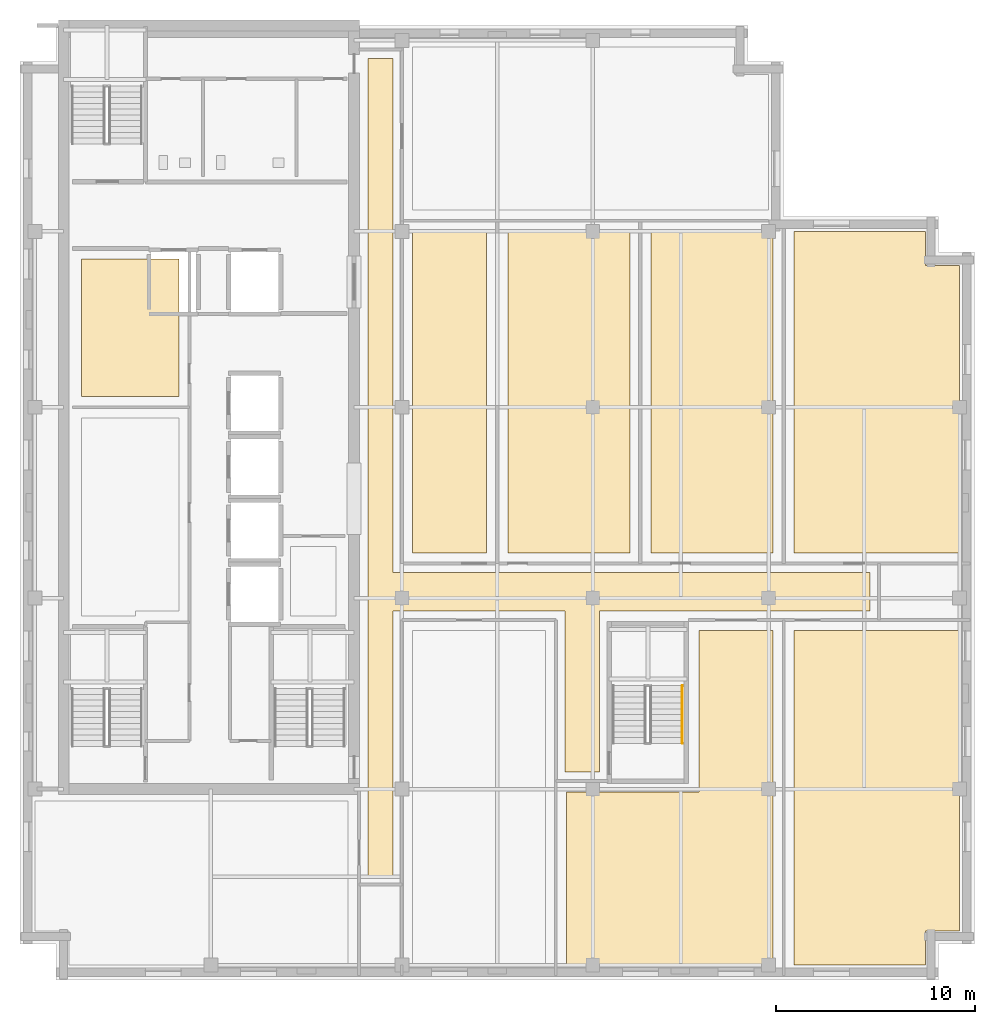
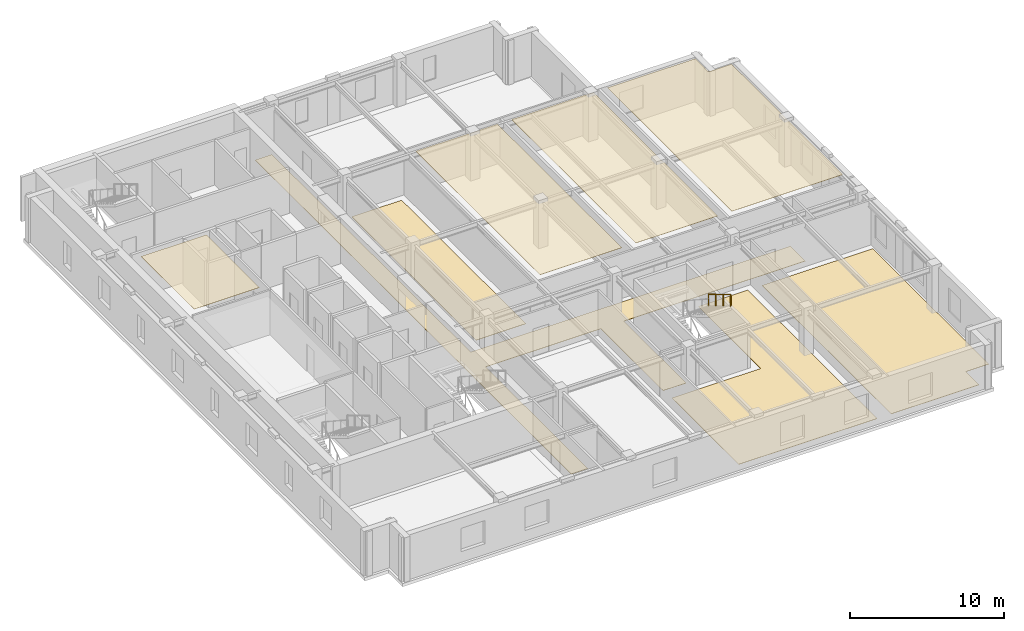
# One storey, part 9 of 11: 8 coverings, 1 railing.
"""IFC4 building model written with IfcOpenShell, lengths in metres."""

from ifc_helpers import new_model, si_unit, direction, frame, origin, origin_2d, place, context, subcontext, project, spatial, polyline, circle, outline, extrude, material, layer, layer_set, type_object, element, save


model = new_model("IFC4")

# Units and contexts
model_context = context("Model", 3, precision=1e-05, world=origin(), true_north=direction((0.0, 1.0)))
body_context = subcontext(model_context, "Body", "Model", "MODEL_VIEW")
ifc_project = project(units=[si_unit("LENGTHUNIT", "METRE"), si_unit("AREAUNIT", "SQUARE_METRE"), si_unit("VOLUMEUNIT", "CUBIC_METRE"), si_unit("PLANEANGLEUNIT", "RADIAN"), si_unit("MASSUNIT", "GRAM", prefix="KILO")], contexts=[model_context])

# Site, building, storey
site_placement = place(None, origin())
site = spatial("IfcSite", under=ifc_project, at=site_placement, CompositionType="ELEMENT")
building_placement = place(site_placement, origin())
building = spatial("IfcBuilding", under=site, at=building_placement, Name="Norrvale University Quadrangle", CompositionType="ELEMENT")
storey_placement = place(building_placement, frame((0.0, 0.0, 288.60009765625)))
storey = spatial("IfcBuildingStorey", under=building, at=storey_placement, Name="L73", CompositionType="ELEMENT", Elevation=288.60009765625)

# Coverings
ifc_material_1 = material(Name="Perforated Acoustic Mineral Ceiling")
ifc_layer_1 = layer(ifc_material_1, 0.02490234375, Name="Perforated Acoustic Mineral Ceiling")
ifc_layer_set_1 = layer_set([ifc_layer_1], Name="Perforated Acoustic Mineral Ceiling")
covering_type_1 = type_object("IfcCoveringType", Name="Covering Acoustic Ceiling 25", PredefinedType="CEILING", material=ifc_layer_set_1)
covering_1_placement = place(storey_placement, frame((0.0, 0.0, 3.514892578125)))
element("IfcCovering", 1, at=covering_1_placement, inside=storey, type_object=covering_type_1, Name="Acoustic Ceiling RM-L73-REC3", PredefinedType="CEILING", context=body_context, shape_type="SweptSolid", body=[
    extrude(outline(polyline([(3.10009765625, 29.35009765625), (3.10009765625, 36.25), (8.0, 36.25), (8.0, 29.35009765625), (3.10009765625, 29.35009765625)])), origin(), (0.0, 0.0, 1.0), 0.02490234375),
])
covering_2_placement = place(storey_placement, frame((0.0, 0.0, 3.514892578125)))
element("IfcCovering", 2, at=covering_2_placement, inside=storey, type_object=covering_type_1, Name="Acoustic Ceiling RM-L73-ME02", PredefinedType="CEILING", context=body_context, shape_type="SweptSolid", body=[
    extrude(outline(polyline([(24.530029296875, 37.64990234375), (30.669921875, 37.64990234375), (30.669921875, 21.47998046875), (24.530029296875, 21.47998046875), (24.530029296875, 37.64990234375)])), origin(), (0.0, 0.0, 1.0), 0.02490234375),
])
covering_3_placement = place(storey_placement, frame((0.0, 0.0, 3.514892578125)))
element("IfcCovering", 3, at=covering_3_placement, inside=storey, type_object=covering_type_1, Name="Acoustic Ceiling RM-L73-ME03", PredefinedType="CEILING", context=body_context, shape_type="SweptSolid", body=[
    extrude(outline(polyline([(31.72998046875, 37.64990234375), (37.8701171875, 37.64990234375), (37.8701171875, 21.47998046875), (31.72998046875, 21.47998046875), (31.72998046875, 37.64990234375)])), origin(), (0.0, 0.0, 1.0), 0.02490234375),
])
covering_4_placement = place(storey_placement, frame((0.0, 0.0, 3.514892578125)))
element("IfcCovering", 4, at=covering_4_placement, inside=storey, type_object=covering_type_1, Name="Acoustic Ceiling RM-L73-ME04", PredefinedType="CEILING", context=body_context, shape_type="SweptSolid", body=[
    extrude(outline(polyline([(47.25, 21.47998046875), (38.929931640625, 21.47998046875), (38.929931640625, 37.64990234375), (45.530029296875, 37.64990234375), (45.530029296875, 35.929931640625), (47.25, 35.929931640625), (47.25, 21.47998046875)])), origin(), (0.0, 0.0, 1.0), 0.02490234375),
])
ifc_material_2 = material(Name="Polished Terrazzo Flooring")
ifc_layer_2 = layer(ifc_material_2, 0.02490234375, Name="Polished Terrazzo Flooring")
ifc_layer_set_2 = layer_set([ifc_layer_2], Name="Polished Terrazzo Flooring")
covering_type_2 = type_object("IfcCoveringType", Name="Covering Terrazzo Floor 30", PredefinedType="FLOORING", material=ifc_layer_set_2)
covering_5_placement = place(storey_placement, origin())
element("IfcCovering", 5, at=covering_5_placement, inside=storey, type_object=covering_type_2, Name="Terrazzo Flooring RM-L73-CORR1", PredefinedType="FLOORING", context=body_context, shape_type="SweptSolid", body=[
    extrude(outline(polyline([(17.5, 5.25), (17.5, 46.35009765625), (18.75, 46.35009765625), (18.75, 20.5), (42.75, 20.5), (42.75, 18.550048828125), (29.1298828125, 18.550048828125), (29.1298828125, 10.449951171875), (27.39990234375, 10.449951171875), (27.39990234375, 18.550048828125), (18.75, 18.550048828125), (18.75, 5.25), (17.5, 5.25)])), origin(), (0.0, 0.0, 1.0), 0.02490234375),
])
covering_6_placement = place(storey_placement, origin())
element("IfcCovering", 6, at=covering_6_placement, inside=storey, type_object=covering_type_2, Name="Terrazzo Flooring RM-L73-SE2", PredefinedType="FLOORING", context=body_context, shape_type="SweptSolid", body=[
    extrude(outline(polyline([(27.47998046875, 9.449951171875), (34.14990234375, 9.449951171875), (34.14990234375, 17.570068359375), (37.8701171875, 17.570068359375), (37.8701171875, 0.75), (27.47998046875, 0.75), (27.47998046875, 9.449951171875)])), origin(), (0.0, 0.0, 1.0), 0.02490234375),
])
covering_7_placement = place(storey_placement, origin())
element("IfcCovering", 7, at=covering_7_placement, inside=storey, type_object=covering_type_2, Name="Terrazzo Flooring RM-L73-SE3", PredefinedType="FLOORING", context=body_context, shape_type="SweptSolid", body=[
    extrude(outline(polyline([(38.929931640625, 0.75), (38.929931640625, 17.570068359375), (47.25, 17.570068359375), (47.25, 2.469970703125), (45.530029296875, 2.469970703125), (45.530029296875, 0.75), (38.929931640625, 0.75)])), origin(), (0.0, 0.0, 1.0), 0.02490234375),
])
covering_8_placement = place(storey_placement, origin())
element("IfcCovering", 8, at=covering_8_placement, inside=storey, type_object=covering_type_2, Name="Terrazzo Flooring RM-L73-ME01", PredefinedType="FLOORING", context=body_context, shape_type="SweptSolid", body=[
    extrude(outline(polyline([(19.72998046875, 37.64990234375), (23.469970703125, 37.64990234375), (23.469970703125, 21.47998046875), (19.72998046875, 21.47998046875), (19.72998046875, 37.64990234375)])), origin(), (0.0, 0.0, 1.0), 0.02490234375),
])

# Railing
ifc_material_3 = material(Name="Stainless Steel 316L Handrail", Category="steel")
railing_type = type_object("IfcRailingType", Name="Railing Stair Handrail 920", PredefinedType="HANDRAIL", material=ifc_material_3)
railing_placement = place(storey_placement, frame((33.31005859375, 14.800048828125, 2.072509765625)))
element("IfcRailing", 9, at=railing_placement, inside=storey, type_object=railing_type, Name="Stair Upper Flight Handrail ST-04 L73", PredefinedType="HANDRAIL", context=body_context, shape_type="SweptSolid", body=[
    extrude(circle(Radius=0.02392578125, at=origin_2d()), frame((0.0, 0.0, 0.89599609375), z_axis=(0.0, -0.859160404282, 0.51170636083), x_axis=(1.0, 0.0, 0.0)), (0.0, 0.0, 1.0), 3.37548828125),
    extrude(circle(Radius=0.02099609375, at=origin_2d()), origin(), (0.0, 0.0, 1.0), 0.871826171875),
    extrude(circle(Radius=0.02099609375, at=origin_2d()), frame((0.0, -0.966796875, 0.57568359375)), (0.0, 0.0, 1.0), 0.871826171875),
    extrude(circle(Radius=0.02099609375, at=origin_2d()), frame((0.0, -1.933349609375, 1.151611328125)), (0.0, 0.0, 1.0), 0.871826171875),
    extrude(circle(Radius=0.02099609375, at=origin_2d()), frame((0.0, -2.900146484375, 1.727294921875)), (0.0, 0.0, 1.0), 0.871826171875),
])

save(model, "model.ifc")
